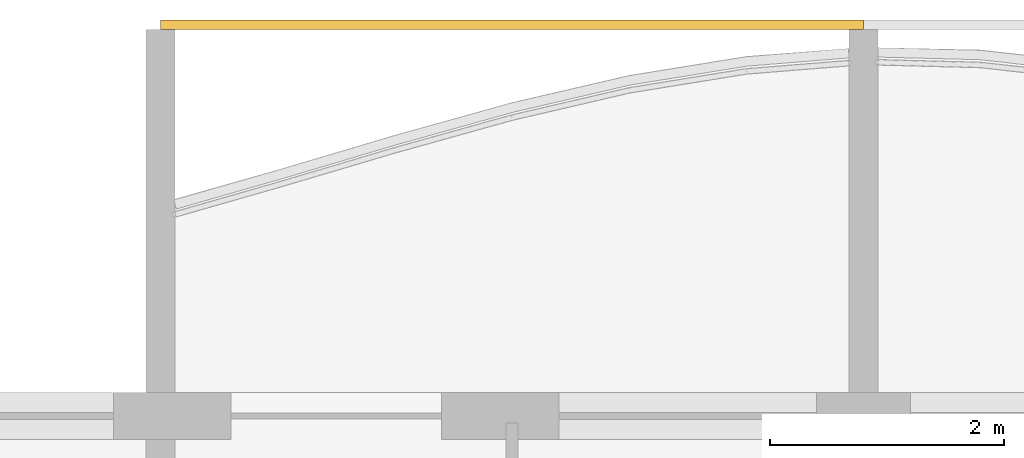
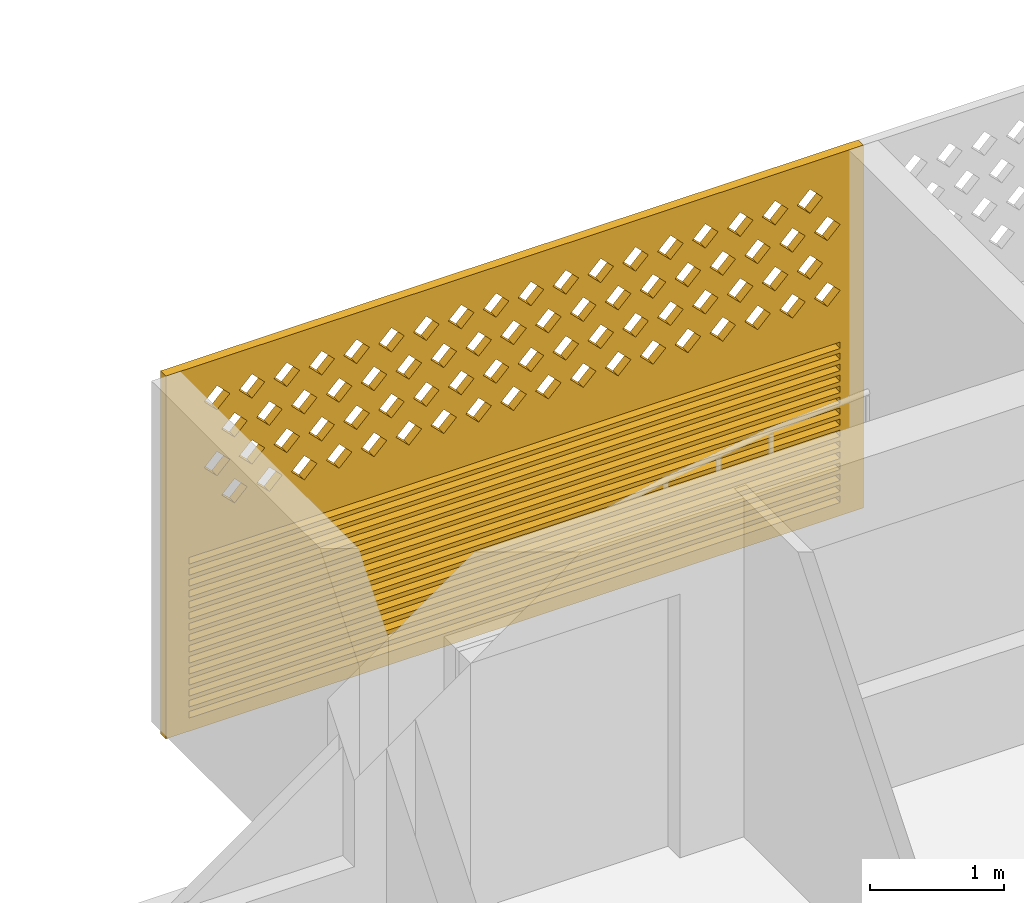
# One storey, part 16 of 26: 1 covering.
"""IFC4 building model written with IfcOpenShell, lengths in metres."""

import ifcopenshell
import ifcopenshell.guid

model = None  # the IFC model being written
_history = None  # IfcOwnerHistory: only IFC2X3 demands one
_inside = {}  # id of a spatial element -> (the spatial element, [elements in it])
_under = {}  # id of a project, library or spatial element -> (it, [spatial elements below it])
_declared = {}  # id of a project -> (the project, [libraries it declares])
_typed = {}  # id of a type object -> (the type object, [elements of that type])
_made_of = {}  # id of a material, layer set ... -> (it, [elements and type objects made of it])


def new_model(schema):
    """Start an empty IFC model of exactly this schema.

    Asked for "IFC4X3", IfcOpenShell would pick the latest addendum, in which some entities
    have other attributes; the version numbers below select the first issue.
    IFC2X3 requires an IfcOwnerHistory on every rooted entity: one is made here for all.
    """
    global model, _history
    if schema == "IFC4X3":
        model = ifcopenshell.file(schema_version=(4, 3, 0, 0))
    else:
        model = ifcopenshell.file(schema=schema)
    _inside.clear()
    _under.clear()
    _declared.clear()
    _typed.clear()
    _made_of.clear()
    _history = None
    if model.schema == "IFC2X3":
        org = make("IfcOrganization", Name="unknown")
        user = make(
            "IfcPersonAndOrganization",
            ThePerson=make("IfcPerson", FamilyName="unknown"),
            TheOrganization=org,
        )
        app = make(
            "IfcApplication",
            ApplicationDeveloper=org,
            Version="unknown",
            ApplicationFullName="unknown",
            ApplicationIdentifier="unknown",
        )
        _history = make(
            "IfcOwnerHistory",
            OwningUser=user,
            OwningApplication=app,
            ChangeAction="ADDED",
            CreationDate=0,
        )
    return model


def make(cls, **values):
    """One entity of the class cls with the attributes given. An attribute that is None is left unset."""
    return model.create_entity(
        cls, **{name: value for name, value in values.items() if value is not None}
    )


def rooted(cls, **values):
    """An entity with a GlobalId (a new one), such as an element, a storey or a relation."""
    return make(cls, GlobalId=ifcopenshell.guid.new(), OwnerHistory=_history, **values)


def si_unit(unit_type, name, prefix=None):
    """IfcSIUnit, for example si_unit("LENGTHUNIT", "METRE", prefix="MILLI")."""
    return make("IfcSIUnit", UnitType=unit_type, Prefix=prefix, Name=name)


def assignment(units):
    """IfcUnitAssignment: the units of a project."""
    return None if units is None else make("IfcUnitAssignment", Units=units)


def point(xyz):
    """IfcCartesianPoint."""
    return None if xyz is None else make("IfcCartesianPoint", Coordinates=xyz)


def direction(xyz):
    """IfcDirection."""
    return None if xyz is None else make("IfcDirection", DirectionRatios=xyz)


def frame(location, z_axis=None, x_axis=None):
    """IfcAxis2Placement3D, a coordinate frame: its origin and axes. An axis left out is left unset."""
    return make(
        "IfcAxis2Placement3D",
        Location=point(location),
        Axis=direction(z_axis),
        RefDirection=direction(x_axis),
    )


def origin():
    """The frame at (0, 0, 0) with its axes left unset."""
    return frame((0.0, 0.0, 0.0))


def place(relative_to, where):
    """IfcLocalPlacement: puts the frame where relative to a parent placement (None: the world)."""
    return make(
        "IfcLocalPlacement", PlacementRelTo=relative_to, RelativePlacement=where
    )


def context(
    kind, dimensions, precision=None, world=None, true_north=None, identifier=None
):
    """IfcGeometricRepresentationContext, for example the 3D "Model" context."""
    return make(
        "IfcGeometricRepresentationContext",
        ContextIdentifier=identifier,
        ContextType=kind,
        CoordinateSpaceDimension=dimensions,
        Precision=precision,
        WorldCoordinateSystem=world,
        TrueNorth=true_north,
    )


def subcontext(parent, identifier, kind, view, scale=None):
    """IfcGeometricRepresentationSubContext, for example "Body" below "Model"."""
    return make(
        "IfcGeometricRepresentationSubContext",
        ContextIdentifier=identifier,
        ContextType=kind,
        ParentContext=parent,
        TargetScale=scale,
        TargetView=view,
    )


def project(units=None, contexts=None):
    """IfcProject with its units and contexts."""
    return rooted(
        "IfcProject",
        Name="project",
        RepresentationContexts=contexts,
        UnitsInContext=assignment(units),
    )


def spatial(cls, under=None, at=None, **own):
    """A site, building, storey or space (cls), placed at a placement, below another one or the project."""
    s = rooted(cls, ObjectPlacement=at, **own)
    if under is not None:
        _under.setdefault(under.id(), (under, []))[1].append(s)
    return s


def polyline(points):
    """IfcPolyline through the points."""
    return make("IfcPolyline", Points=[point(p) for p in points])


def outline(outer, holes=None, kind="AREA"):
    """IfcArbitraryClosedProfileDef: a profile drawn as a closed curve; with holes, ...WithVoids."""
    if holes is None:
        return make("IfcArbitraryClosedProfileDef", ProfileType=kind, OuterCurve=outer)
    return make(
        "IfcArbitraryProfileDefWithVoids",
        ProfileType=kind,
        OuterCurve=outer,
        InnerCurves=holes,
    )


def extrude(swept, where, along, depth):
    """IfcExtrudedAreaSolid: the profile swept, set in the frame where, extruded along a direction by depth."""
    return make(
        "IfcExtrudedAreaSolid",
        SweptArea=swept,
        Position=where,
        ExtrudedDirection=direction(along),
        Depth=depth,
    )


def shape(context_of_items, identifier, shape_type, items):
    """IfcShapeRepresentation: the items that make up one representation, for example the "Body"."""
    return make(
        "IfcShapeRepresentation",
        ContextOfItems=context_of_items,
        RepresentationIdentifier=identifier,
        RepresentationType=shape_type,
        Items=items,
    )


def source(mapping_origin, context_of_items, identifier, shape_type, items):
    """IfcRepresentationMap: a shape defined once, which mapped items show again and again."""
    return make(
        "IfcRepresentationMap",
        MappingOrigin=mapping_origin,
        MappedRepresentation=shape(context_of_items, identifier, shape_type, items),
    )


def transform(
    local_origin,
    x_axis=None,
    y_axis=None,
    z_axis=None,
    scale=None,
    scale2=None,
    scale3=None,
    uniform=True,
):
    """IfcCartesianTransformationOperator3D, or its non-uniform kind. x_axis, y_axis, z_axis: its Axis1, 2, 3."""
    if uniform:
        return make(
            "IfcCartesianTransformationOperator3D",
            Axis1=direction(x_axis),
            Axis2=direction(y_axis),
            LocalOrigin=point(local_origin),
            Scale=scale,
            Axis3=direction(z_axis),
        )
    return make(
        "IfcCartesianTransformationOperator3DnonUniform",
        Axis1=direction(x_axis),
        Axis2=direction(y_axis),
        LocalOrigin=point(local_origin),
        Scale=scale,
        Axis3=direction(z_axis),
        Scale2=scale2,
        Scale3=scale3,
    )


def mapped(mapping_source, mapping_target):
    """IfcMappedItem: shows the shape of a source again, moved by a transform."""
    return make(
        "IfcMappedItem", MappingSource=mapping_source, MappingTarget=mapping_target
    )


def material(Name=None, Category=None):
    """IfcMaterial."""
    return make("IfcMaterial", Name=Name, Category=Category)


def material_profile(
    of_material, cross_section, Name=None, Category=None, Priority=None
):
    """IfcMaterialProfile: a cross section and its material."""
    return make(
        "IfcMaterialProfile",
        Name=Name,
        Material=of_material,
        Profile=cross_section,
        Priority=Priority,
        Category=Category,
    )


def profile_set(profiles, Name=None, composite=None):
    """IfcMaterialProfileSet."""
    return make(
        "IfcMaterialProfileSet",
        Name=Name,
        MaterialProfiles=profiles,
        CompositeProfile=composite,
    )


def made_of(thing, what):
    """Note that an element or type object is made of a material, layer set ...; save() writes the relation."""
    if what is not None:
        _made_of.setdefault(what.id(), (what, []))[1].append(thing)
    return thing


def type_object(cls, material=None, **own):
    """A type object (cls), such as IfcWallType, which elements share."""
    return made_of(rooted(cls, **own), material)


def element(
    cls,
    number,
    at=None,
    inside=None,
    cuts=None,
    type_object=None,
    material=None,
    context=None,
    identifier="Body",
    shape_type=None,
    held_by="IfcProductDefinitionShape",
    body=None,
    shapes=None,
    **own,
):
    """One element of the class cls, such as IfcWall. Its Tag is "e" and its number.

    at: its placement. inside: the storey or other place that contains it. cuts: it is an
    opening in that element (IfcRelVoidsElement). A single representation is given by context,
    identifier, shape_type and body (its items); several are given by shapes. held_by: the class
    of the entity that holds the representations. save() writes the other relations.
    """
    e = rooted(cls, Tag="e%d" % number, ObjectPlacement=at, **own)
    if body is not None:
        shapes = [shape(context, identifier, shape_type, body)]
    if shapes is not None:
        e.Representation = make(held_by, Representations=shapes)
    if inside is not None:
        _inside.setdefault(inside.id(), (inside, []))[1].append(e)
    if cuts is not None:
        rooted(
            "IfcRelVoidsElement", RelatingBuildingElement=cuts, RelatedOpeningElement=e
        )
    if type_object is not None:
        _typed.setdefault(type_object.id(), (type_object, []))[1].append(e)
    return made_of(e, material)


def aggregate(whole, parts):
    """IfcRelAggregates: a whole, such as a stair, and the parts it consists of."""
    return rooted("IfcRelAggregates", RelatingObject=whole, RelatedObjects=parts)


def save(model, path):
    """Write the relations noted so far, then the file.

    IfcRelAggregates (storeys below a building ...), IfcRelContainedInSpatialStructure (elements
    in a storey), IfcRelDefinesByType, IfcRelAssociatesMaterial and IfcRelDeclares: one each for
    every whole, place, type object, material and project.
    """
    for whole, parts in _under.values():
        aggregate(whole, parts)
    for where, things in _inside.values():
        rooted(
            "IfcRelContainedInSpatialStructure",
            RelatedElements=things,
            RelatingStructure=where,
        )
    for kind, things in _typed.values():
        rooted("IfcRelDefinesByType", RelatedObjects=things, RelatingType=kind)
    for what, things in _made_of.values():
        rooted("IfcRelAssociatesMaterial", RelatedObjects=things, RelatingMaterial=what)
    for by, libraries in _declared.values():
        rooted("IfcRelDeclares", RelatingContext=by, RelatedDefinitions=libraries)
    model.write(path)


model = new_model("IFC4")

# Units and contexts
model_context = context("Model", 3, precision=1e-05, world=origin(), true_north=direction((0.0, 1.0)))
body_context = subcontext(model_context, "Body", "Model", "MODEL_VIEW")
ifc_project = project(units=[si_unit("LENGTHUNIT", "METRE"), si_unit("AREAUNIT", "SQUARE_METRE"), si_unit("VOLUMEUNIT", "CUBIC_METRE"), si_unit("PLANEANGLEUNIT", "RADIAN"), si_unit("MASSUNIT", "GRAM", prefix="KILO")], contexts=[model_context])

# Site, building, storey
site_placement = place(None, origin())
site = spatial("IfcSite", under=ifc_project, at=site_placement, CompositionType="ELEMENT")
building_placement = place(site_placement, origin())
building = spatial("IfcBuilding", under=site, at=building_placement, Name="Poui Terraces", CompositionType="ELEMENT")
storey_placement = place(building_placement, frame((0.0, 0.0, 228.0)))
storey = spatial("IfcBuildingStorey", under=building, at=storey_placement, Name="L63", CompositionType="ELEMENT", Elevation=228.0)

# Covering
ifc_material = material(Name="Terracotta screen", Category="masonry")
ifc_material_profile = material_profile(ifc_material, outline(polyline([(-3.0, -1.64990234375), (3.0, -1.64990234375), (3.0, 1.64990234375), (-3.0, 1.64990234375), (-3.0, -1.64990234375)]), holes=[polyline([(-2.800048828125, 0.39990234375), (-2.68994140625, 0.2900390625), (-2.580078125, 0.39990234375), (-2.68994140625, 0.510009765625), (-2.800048828125, 0.39990234375)]), polyline([(-2.5, 0.39990234375), (-2.389892578125, 0.2900390625), (-2.280029296875, 0.39990234375), (-2.389892578125, 0.510009765625), (-2.5, 0.39990234375)]), polyline([(-2.199951171875, 0.39990234375), (-2.090087890625, 0.2900390625), (-1.97998046875, 0.39990234375), (-2.090087890625, 0.510009765625), (-2.199951171875, 0.39990234375)]), polyline([(-1.89990234375, 0.39990234375), (-1.7900390625, 0.2900390625), (-1.679931640625, 0.39990234375), (-1.7900390625, 0.510009765625), (-1.89990234375, 0.39990234375)]), polyline([(-1.60009765625, 0.39990234375), (-1.489990234375, 0.2900390625), (-1.3798828125, 0.39990234375), (-1.489990234375, 0.510009765625), (-1.60009765625, 0.39990234375)]), polyline([(-1.300048828125, 0.39990234375), (-1.18994140625, 0.2900390625), (-1.080078125, 0.39990234375), (-1.18994140625, 0.510009765625), (-1.300048828125, 0.39990234375)]), polyline([(-1.0, 0.39990234375), (-0.889892578125, 0.2900390625), (-0.780029296875, 0.39990234375), (-0.889892578125, 0.510009765625), (-1.0, 0.39990234375)]), polyline([(-0.699951171875, 0.39990234375), (-0.590087890625, 0.2900390625), (-0.47998046875, 0.39990234375), (-0.590087890625, 0.510009765625), (-0.699951171875, 0.39990234375)]), polyline([(-0.39990234375, 0.39990234375), (-0.2900390625, 0.2900390625), (-0.179931640625, 0.39990234375), (-0.2900390625, 0.510009765625), (-0.39990234375, 0.39990234375)]), polyline([(-0.10009765625, 0.39990234375), (0.010009765625, 0.2900390625), (0.1201171875, 0.39990234375), (0.010009765625, 0.510009765625), (-0.10009765625, 0.39990234375)]), polyline([(0.199951171875, 0.39990234375), (0.31005859375, 0.2900390625), (0.419921875, 0.39990234375), (0.31005859375, 0.510009765625), (0.199951171875, 0.39990234375)]), polyline([(0.5, 0.39990234375), (0.610107421875, 0.2900390625), (0.719970703125, 0.39990234375), (0.610107421875, 0.510009765625), (0.5, 0.39990234375)]), polyline([(0.800048828125, 0.39990234375), (0.909912109375, 0.2900390625), (1.02001953125, 0.39990234375), (0.909912109375, 0.510009765625), (0.800048828125, 0.39990234375)]), polyline([(1.10009765625, 0.39990234375), (1.2099609375, 0.2900390625), (1.320068359375, 0.39990234375), (1.2099609375, 0.510009765625), (1.10009765625, 0.39990234375)]), polyline([(1.39990234375, 0.39990234375), (1.510009765625, 0.2900390625), (1.6201171875, 0.39990234375), (1.510009765625, 0.510009765625), (1.39990234375, 0.39990234375)]), polyline([(1.699951171875, 0.39990234375), (1.81005859375, 0.2900390625), (1.919921875, 0.39990234375), (1.81005859375, 0.510009765625), (1.699951171875, 0.39990234375)]), polyline([(2.0, 0.39990234375), (2.110107421875, 0.2900390625), (2.219970703125, 0.39990234375), (2.110107421875, 0.510009765625), (2.0, 0.39990234375)]), polyline([(2.300048828125, 0.39990234375), (2.409912109375, 0.2900390625), (2.52001953125, 0.39990234375), (2.409912109375, 0.510009765625), (2.300048828125, 0.39990234375)]), polyline([(-2.64990234375, 0.699951171875), (-2.5400390625, 0.590087890625), (-2.429931640625, 0.699951171875), (-2.5400390625, 0.81005859375), (-2.64990234375, 0.699951171875)]), polyline([(-2.35009765625, 0.699951171875), (-2.239990234375, 0.590087890625), (-2.1298828125, 0.699951171875), (-2.239990234375, 0.81005859375), (-2.35009765625, 0.699951171875)]), polyline([(-2.050048828125, 0.699951171875), (-1.93994140625, 0.590087890625), (-1.830078125, 0.699951171875), (-1.93994140625, 0.81005859375), (-2.050048828125, 0.699951171875)]), polyline([(-1.75, 0.699951171875), (-1.639892578125, 0.590087890625), (-1.530029296875, 0.699951171875), (-1.639892578125, 0.81005859375), (-1.75, 0.699951171875)]), polyline([(-1.449951171875, 0.699951171875), (-1.340087890625, 0.590087890625), (-1.22998046875, 0.699951171875), (-1.340087890625, 0.81005859375), (-1.449951171875, 0.699951171875)]), polyline([(-1.14990234375, 0.699951171875), (-1.0400390625, 0.590087890625), (-0.929931640625, 0.699951171875), (-1.0400390625, 0.81005859375), (-1.14990234375, 0.699951171875)]), polyline([(-0.85009765625, 0.699951171875), (-0.739990234375, 0.590087890625), (-0.6298828125, 0.699951171875), (-0.739990234375, 0.81005859375), (-0.85009765625, 0.699951171875)]), polyline([(-0.550048828125, 0.699951171875), (-0.43994140625, 0.590087890625), (-0.330078125, 0.699951171875), (-0.43994140625, 0.81005859375), (-0.550048828125, 0.699951171875)]), polyline([(-0.25, 0.699951171875), (-0.139892578125, 0.590087890625), (-0.030029296875, 0.699951171875), (-0.139892578125, 0.81005859375), (-0.25, 0.699951171875)]), polyline([(0.050048828125, 0.699951171875), (0.159912109375, 0.590087890625), (0.27001953125, 0.699951171875), (0.159912109375, 0.81005859375), (0.050048828125, 0.699951171875)]), polyline([(0.35009765625, 0.699951171875), (0.4599609375, 0.590087890625), (0.570068359375, 0.699951171875), (0.4599609375, 0.81005859375), (0.35009765625, 0.699951171875)]), polyline([(0.64990234375, 0.699951171875), (0.760009765625, 0.590087890625), (0.8701171875, 0.699951171875), (0.760009765625, 0.81005859375), (0.64990234375, 0.699951171875)]), polyline([(0.949951171875, 0.699951171875), (1.06005859375, 0.590087890625), (1.169921875, 0.699951171875), (1.06005859375, 0.81005859375), (0.949951171875, 0.699951171875)]), polyline([(1.25, 0.699951171875), (1.360107421875, 0.590087890625), (1.469970703125, 0.699951171875), (1.360107421875, 0.81005859375), (1.25, 0.699951171875)]), polyline([(1.550048828125, 0.699951171875), (1.659912109375, 0.590087890625), (1.77001953125, 0.699951171875), (1.659912109375, 0.81005859375), (1.550048828125, 0.699951171875)]), polyline([(1.85009765625, 0.699951171875), (1.9599609375, 0.590087890625), (2.070068359375, 0.699951171875), (1.9599609375, 0.81005859375), (1.85009765625, 0.699951171875)]), polyline([(2.14990234375, 0.699951171875), (2.260009765625, 0.590087890625), (2.3701171875, 0.699951171875), (2.260009765625, 0.81005859375), (2.14990234375, 0.699951171875)]), polyline([(2.449951171875, 0.699951171875), (2.56005859375, 0.590087890625), (2.669921875, 0.699951171875), (2.56005859375, 0.81005859375), (2.449951171875, 0.699951171875)]), polyline([(-2.800048828125, 1.0), (-2.68994140625, 0.889892578125), (-2.580078125, 1.0), (-2.68994140625, 1.110107421875), (-2.800048828125, 1.0)]), polyline([(-2.5, 1.0), (-2.389892578125, 0.889892578125), (-2.280029296875, 1.0), (-2.389892578125, 1.110107421875), (-2.5, 1.0)]), polyline([(-2.199951171875, 1.0), (-2.090087890625, 0.889892578125), (-1.97998046875, 1.0), (-2.090087890625, 1.110107421875), (-2.199951171875, 1.0)]), polyline([(-1.89990234375, 1.0), (-1.7900390625, 0.889892578125), (-1.679931640625, 1.0), (-1.7900390625, 1.110107421875), (-1.89990234375, 1.0)]), polyline([(-1.60009765625, 1.0), (-1.489990234375, 0.889892578125), (-1.3798828125, 1.0), (-1.489990234375, 1.110107421875), (-1.60009765625, 1.0)]), polyline([(-1.300048828125, 1.0), (-1.18994140625, 0.889892578125), (-1.080078125, 1.0), (-1.18994140625, 1.110107421875), (-1.300048828125, 1.0)]), polyline([(-1.0, 1.0), (-0.889892578125, 0.889892578125), (-0.780029296875, 1.0), (-0.889892578125, 1.110107421875), (-1.0, 1.0)]), polyline([(-0.699951171875, 1.0), (-0.590087890625, 0.889892578125), (-0.47998046875, 1.0), (-0.590087890625, 1.110107421875), (-0.699951171875, 1.0)]), polyline([(-0.39990234375, 1.0), (-0.2900390625, 0.889892578125), (-0.179931640625, 1.0), (-0.2900390625, 1.110107421875), (-0.39990234375, 1.0)]), polyline([(-0.10009765625, 1.0), (0.010009765625, 0.889892578125), (0.1201171875, 1.0), (0.010009765625, 1.110107421875), (-0.10009765625, 1.0)]), polyline([(0.199951171875, 1.0), (0.31005859375, 0.889892578125), (0.419921875, 1.0), (0.31005859375, 1.110107421875), (0.199951171875, 1.0)]), polyline([(0.5, 1.0), (0.610107421875, 0.889892578125), (0.719970703125, 1.0), (0.610107421875, 1.110107421875), (0.5, 1.0)]), polyline([(0.800048828125, 1.0), (0.909912109375, 0.889892578125), (1.02001953125, 1.0), (0.909912109375, 1.110107421875), (0.800048828125, 1.0)]), polyline([(1.10009765625, 1.0), (1.2099609375, 0.889892578125), (1.320068359375, 1.0), (1.2099609375, 1.110107421875), (1.10009765625, 1.0)]), polyline([(1.39990234375, 1.0), (1.510009765625, 0.889892578125), (1.6201171875, 1.0), (1.510009765625, 1.110107421875), (1.39990234375, 1.0)]), polyline([(1.699951171875, 1.0), (1.81005859375, 0.889892578125), (1.919921875, 1.0), (1.81005859375, 1.110107421875), (1.699951171875, 1.0)]), polyline([(2.0, 1.0), (2.110107421875, 0.889892578125), (2.219970703125, 1.0), (2.110107421875, 1.110107421875), (2.0, 1.0)]), polyline([(2.300048828125, 1.0), (2.409912109375, 0.889892578125), (2.52001953125, 1.0), (2.409912109375, 1.110107421875), (2.300048828125, 1.0)]), polyline([(-2.64990234375, 1.300048828125), (-2.5400390625, 1.18994140625), (-2.429931640625, 1.300048828125), (-2.5400390625, 1.409912109375), (-2.64990234375, 1.300048828125)]), polyline([(-2.35009765625, 1.300048828125), (-2.239990234375, 1.18994140625), (-2.1298828125, 1.300048828125), (-2.239990234375, 1.409912109375), (-2.35009765625, 1.300048828125)]), polyline([(-2.050048828125, 1.300048828125), (-1.93994140625, 1.18994140625), (-1.830078125, 1.300048828125), (-1.93994140625, 1.409912109375), (-2.050048828125, 1.300048828125)]), polyline([(-1.75, 1.300048828125), (-1.639892578125, 1.18994140625), (-1.530029296875, 1.300048828125), (-1.639892578125, 1.409912109375), (-1.75, 1.300048828125)]), polyline([(-1.449951171875, 1.300048828125), (-1.340087890625, 1.18994140625), (-1.22998046875, 1.300048828125), (-1.340087890625, 1.409912109375), (-1.449951171875, 1.300048828125)]), polyline([(-1.14990234375, 1.300048828125), (-1.0400390625, 1.18994140625), (-0.929931640625, 1.300048828125), (-1.0400390625, 1.409912109375), (-1.14990234375, 1.300048828125)]), polyline([(-0.85009765625, 1.300048828125), (-0.739990234375, 1.18994140625), (-0.6298828125, 1.300048828125), (-0.739990234375, 1.409912109375), (-0.85009765625, 1.300048828125)]), polyline([(-0.550048828125, 1.300048828125), (-0.43994140625, 1.18994140625), (-0.330078125, 1.300048828125), (-0.43994140625, 1.409912109375), (-0.550048828125, 1.300048828125)]), polyline([(-0.25, 1.300048828125), (-0.139892578125, 1.18994140625), (-0.030029296875, 1.300048828125), (-0.139892578125, 1.409912109375), (-0.25, 1.300048828125)]), polyline([(0.050048828125, 1.300048828125), (0.159912109375, 1.18994140625), (0.27001953125, 1.300048828125), (0.159912109375, 1.409912109375), (0.050048828125, 1.300048828125)]), polyline([(0.35009765625, 1.300048828125), (0.4599609375, 1.18994140625), (0.570068359375, 1.300048828125), (0.4599609375, 1.409912109375), (0.35009765625, 1.300048828125)]), polyline([(0.64990234375, 1.300048828125), (0.760009765625, 1.18994140625), (0.8701171875, 1.300048828125), (0.760009765625, 1.409912109375), (0.64990234375, 1.300048828125)]), polyline([(0.949951171875, 1.300048828125), (1.06005859375, 1.18994140625), (1.169921875, 1.300048828125), (1.06005859375, 1.409912109375), (0.949951171875, 1.300048828125)]), polyline([(1.25, 1.300048828125), (1.360107421875, 1.18994140625), (1.469970703125, 1.300048828125), (1.360107421875, 1.409912109375), (1.25, 1.300048828125)]), polyline([(1.550048828125, 1.300048828125), (1.659912109375, 1.18994140625), (1.77001953125, 1.300048828125), (1.659912109375, 1.409912109375), (1.550048828125, 1.300048828125)]), polyline([(1.85009765625, 1.300048828125), (1.9599609375, 1.18994140625), (2.070068359375, 1.300048828125), (1.9599609375, 1.409912109375), (1.85009765625, 1.300048828125)]), polyline([(2.14990234375, 1.300048828125), (2.260009765625, 1.18994140625), (2.3701171875, 1.300048828125), (2.260009765625, 1.409912109375), (2.14990234375, 1.300048828125)]), polyline([(2.449951171875, 1.300048828125), (2.56005859375, 1.18994140625), (2.669921875, 1.300048828125), (2.56005859375, 1.409912109375), (2.449951171875, 1.300048828125)]), polyline([(-2.800048828125, -1.530029296875), (2.800048828125, -1.530029296875), (2.800048828125, -1.469970703125), (-2.800048828125, -1.469970703125), (-2.800048828125, -1.530029296875)]), polyline([(-2.800048828125, -1.429931640625), (2.800048828125, -1.429931640625), (2.800048828125, -1.3701171875), (-2.800048828125, -1.3701171875), (-2.800048828125, -1.429931640625)]), polyline([(-2.800048828125, -1.330078125), (2.800048828125, -1.330078125), (2.800048828125, -1.27001953125), (-2.800048828125, -1.27001953125), (-2.800048828125, -1.330078125)]), polyline([(-2.800048828125, -1.22998046875), (2.800048828125, -1.22998046875), (2.800048828125, -1.169921875), (-2.800048828125, -1.169921875), (-2.800048828125, -1.22998046875)]), polyline([(-2.800048828125, -1.1298828125), (2.800048828125, -1.1298828125), (2.800048828125, -1.070068359375), (-2.800048828125, -1.070068359375), (-2.800048828125, -1.1298828125)]), polyline([(-2.800048828125, -1.030029296875), (2.800048828125, -1.030029296875), (2.800048828125, -0.969970703125), (-2.800048828125, -0.969970703125), (-2.800048828125, -1.030029296875)]), polyline([(-2.800048828125, -0.929931640625), (2.800048828125, -0.929931640625), (2.800048828125, -0.8701171875), (-2.800048828125, -0.8701171875), (-2.800048828125, -0.929931640625)]), polyline([(-2.800048828125, -0.830078125), (2.800048828125, -0.830078125), (2.800048828125, -0.77001953125), (-2.800048828125, -0.77001953125), (-2.800048828125, -0.830078125)]), polyline([(-2.800048828125, -0.72998046875), (2.800048828125, -0.72998046875), (2.800048828125, -0.669921875), (-2.800048828125, -0.669921875), (-2.800048828125, -0.72998046875)]), polyline([(-2.800048828125, -0.6298828125), (2.800048828125, -0.6298828125), (2.800048828125, -0.570068359375), (-2.800048828125, -0.570068359375), (-2.800048828125, -0.6298828125)]), polyline([(-2.800048828125, -0.530029296875), (2.800048828125, -0.530029296875), (2.800048828125, -0.469970703125), (-2.800048828125, -0.469970703125), (-2.800048828125, -0.530029296875)]), polyline([(-2.800048828125, -0.429931640625), (2.800048828125, -0.429931640625), (2.800048828125, -0.3701171875), (-2.800048828125, -0.3701171875), (-2.800048828125, -0.429931640625)]), polyline([(-2.800048828125, -0.330078125), (2.800048828125, -0.330078125), (2.800048828125, -0.27001953125), (-2.800048828125, -0.27001953125), (-2.800048828125, -0.330078125)]), polyline([(-2.800048828125, -0.22998046875), (2.800048828125, -0.22998046875), (2.800048828125, -0.169921875), (-2.800048828125, -0.169921875), (-2.800048828125, -0.22998046875)]), polyline([(-2.800048828125, -0.1298828125), (2.800048828125, -0.1298828125), (2.800048828125, -0.070068359375), (-2.800048828125, -0.070068359375), (-2.800048828125, -0.1298828125)])]), Name="TERRACOTTA SCREEN AND JALOUSIE LOUVRE 6000X3300")
ifc_profile_set = profile_set([ifc_material_profile], Name="Terracotta screen")
covering_type = type_object("IfcCoveringType", Name="TERRACOTTA SCREEN AND JALOUSIE LOUVRE 6000X3300", PredefinedType="CLADDING", material=ifc_profile_set)
shared_shape = source(origin(), body_context, "Body", "SweptSolid", [
    extrude(outline(polyline([(-3.0, -1.64990234375), (3.0, -1.64990234375), (3.0, 1.64990234375), (-3.0, 1.64990234375), (-3.0, -1.64990234375)]), holes=[polyline([(-2.800048828125, 0.39990234375), (-2.68994140625, 0.2900390625), (-2.580078125, 0.39990234375), (-2.68994140625, 0.510009765625), (-2.800048828125, 0.39990234375)]), polyline([(-2.5, 0.39990234375), (-2.389892578125, 0.2900390625), (-2.280029296875, 0.39990234375), (-2.389892578125, 0.510009765625), (-2.5, 0.39990234375)]), polyline([(-2.199951171875, 0.39990234375), (-2.090087890625, 0.2900390625), (-1.97998046875, 0.39990234375), (-2.090087890625, 0.510009765625), (-2.199951171875, 0.39990234375)]), polyline([(-1.89990234375, 0.39990234375), (-1.7900390625, 0.2900390625), (-1.679931640625, 0.39990234375), (-1.7900390625, 0.510009765625), (-1.89990234375, 0.39990234375)]), polyline([(-1.60009765625, 0.39990234375), (-1.489990234375, 0.2900390625), (-1.3798828125, 0.39990234375), (-1.489990234375, 0.510009765625), (-1.60009765625, 0.39990234375)]), polyline([(-1.300048828125, 0.39990234375), (-1.18994140625, 0.2900390625), (-1.080078125, 0.39990234375), (-1.18994140625, 0.510009765625), (-1.300048828125, 0.39990234375)]), polyline([(-1.0, 0.39990234375), (-0.889892578125, 0.2900390625), (-0.780029296875, 0.39990234375), (-0.889892578125, 0.510009765625), (-1.0, 0.39990234375)]), polyline([(-0.699951171875, 0.39990234375), (-0.590087890625, 0.2900390625), (-0.47998046875, 0.39990234375), (-0.590087890625, 0.510009765625), (-0.699951171875, 0.39990234375)]), polyline([(-0.39990234375, 0.39990234375), (-0.2900390625, 0.2900390625), (-0.179931640625, 0.39990234375), (-0.2900390625, 0.510009765625), (-0.39990234375, 0.39990234375)]), polyline([(-0.10009765625, 0.39990234375), (0.010009765625, 0.2900390625), (0.1201171875, 0.39990234375), (0.010009765625, 0.510009765625), (-0.10009765625, 0.39990234375)]), polyline([(0.199951171875, 0.39990234375), (0.31005859375, 0.2900390625), (0.419921875, 0.39990234375), (0.31005859375, 0.510009765625), (0.199951171875, 0.39990234375)]), polyline([(0.5, 0.39990234375), (0.610107421875, 0.2900390625), (0.719970703125, 0.39990234375), (0.610107421875, 0.510009765625), (0.5, 0.39990234375)]), polyline([(0.800048828125, 0.39990234375), (0.909912109375, 0.2900390625), (1.02001953125, 0.39990234375), (0.909912109375, 0.510009765625), (0.800048828125, 0.39990234375)]), polyline([(1.10009765625, 0.39990234375), (1.2099609375, 0.2900390625), (1.320068359375, 0.39990234375), (1.2099609375, 0.510009765625), (1.10009765625, 0.39990234375)]), polyline([(1.39990234375, 0.39990234375), (1.510009765625, 0.2900390625), (1.6201171875, 0.39990234375), (1.510009765625, 0.510009765625), (1.39990234375, 0.39990234375)]), polyline([(1.699951171875, 0.39990234375), (1.81005859375, 0.2900390625), (1.919921875, 0.39990234375), (1.81005859375, 0.510009765625), (1.699951171875, 0.39990234375)]), polyline([(2.0, 0.39990234375), (2.110107421875, 0.2900390625), (2.219970703125, 0.39990234375), (2.110107421875, 0.510009765625), (2.0, 0.39990234375)]), polyline([(2.300048828125, 0.39990234375), (2.409912109375, 0.2900390625), (2.52001953125, 0.39990234375), (2.409912109375, 0.510009765625), (2.300048828125, 0.39990234375)]), polyline([(-2.64990234375, 0.699951171875), (-2.5400390625, 0.590087890625), (-2.429931640625, 0.699951171875), (-2.5400390625, 0.81005859375), (-2.64990234375, 0.699951171875)]), polyline([(-2.35009765625, 0.699951171875), (-2.239990234375, 0.590087890625), (-2.1298828125, 0.699951171875), (-2.239990234375, 0.81005859375), (-2.35009765625, 0.699951171875)]), polyline([(-2.050048828125, 0.699951171875), (-1.93994140625, 0.590087890625), (-1.830078125, 0.699951171875), (-1.93994140625, 0.81005859375), (-2.050048828125, 0.699951171875)]), polyline([(-1.75, 0.699951171875), (-1.639892578125, 0.590087890625), (-1.530029296875, 0.699951171875), (-1.639892578125, 0.81005859375), (-1.75, 0.699951171875)]), polyline([(-1.449951171875, 0.699951171875), (-1.340087890625, 0.590087890625), (-1.22998046875, 0.699951171875), (-1.340087890625, 0.81005859375), (-1.449951171875, 0.699951171875)]), polyline([(-1.14990234375, 0.699951171875), (-1.0400390625, 0.590087890625), (-0.929931640625, 0.699951171875), (-1.0400390625, 0.81005859375), (-1.14990234375, 0.699951171875)]), polyline([(-0.85009765625, 0.699951171875), (-0.739990234375, 0.590087890625), (-0.6298828125, 0.699951171875), (-0.739990234375, 0.81005859375), (-0.85009765625, 0.699951171875)]), polyline([(-0.550048828125, 0.699951171875), (-0.43994140625, 0.590087890625), (-0.330078125, 0.699951171875), (-0.43994140625, 0.81005859375), (-0.550048828125, 0.699951171875)]), polyline([(-0.25, 0.699951171875), (-0.139892578125, 0.590087890625), (-0.030029296875, 0.699951171875), (-0.139892578125, 0.81005859375), (-0.25, 0.699951171875)]), polyline([(0.050048828125, 0.699951171875), (0.159912109375, 0.590087890625), (0.27001953125, 0.699951171875), (0.159912109375, 0.81005859375), (0.050048828125, 0.699951171875)]), polyline([(0.35009765625, 0.699951171875), (0.4599609375, 0.590087890625), (0.570068359375, 0.699951171875), (0.4599609375, 0.81005859375), (0.35009765625, 0.699951171875)]), polyline([(0.64990234375, 0.699951171875), (0.760009765625, 0.590087890625), (0.8701171875, 0.699951171875), (0.760009765625, 0.81005859375), (0.64990234375, 0.699951171875)]), polyline([(0.949951171875, 0.699951171875), (1.06005859375, 0.590087890625), (1.169921875, 0.699951171875), (1.06005859375, 0.81005859375), (0.949951171875, 0.699951171875)]), polyline([(1.25, 0.699951171875), (1.360107421875, 0.590087890625), (1.469970703125, 0.699951171875), (1.360107421875, 0.81005859375), (1.25, 0.699951171875)]), polyline([(1.550048828125, 0.699951171875), (1.659912109375, 0.590087890625), (1.77001953125, 0.699951171875), (1.659912109375, 0.81005859375), (1.550048828125, 0.699951171875)]), polyline([(1.85009765625, 0.699951171875), (1.9599609375, 0.590087890625), (2.070068359375, 0.699951171875), (1.9599609375, 0.81005859375), (1.85009765625, 0.699951171875)]), polyline([(2.14990234375, 0.699951171875), (2.260009765625, 0.590087890625), (2.3701171875, 0.699951171875), (2.260009765625, 0.81005859375), (2.14990234375, 0.699951171875)]), polyline([(2.449951171875, 0.699951171875), (2.56005859375, 0.590087890625), (2.669921875, 0.699951171875), (2.56005859375, 0.81005859375), (2.449951171875, 0.699951171875)]), polyline([(-2.800048828125, 1.0), (-2.68994140625, 0.889892578125), (-2.580078125, 1.0), (-2.68994140625, 1.110107421875), (-2.800048828125, 1.0)]), polyline([(-2.5, 1.0), (-2.389892578125, 0.889892578125), (-2.280029296875, 1.0), (-2.389892578125, 1.110107421875), (-2.5, 1.0)]), polyline([(-2.199951171875, 1.0), (-2.090087890625, 0.889892578125), (-1.97998046875, 1.0), (-2.090087890625, 1.110107421875), (-2.199951171875, 1.0)]), polyline([(-1.89990234375, 1.0), (-1.7900390625, 0.889892578125), (-1.679931640625, 1.0), (-1.7900390625, 1.110107421875), (-1.89990234375, 1.0)]), polyline([(-1.60009765625, 1.0), (-1.489990234375, 0.889892578125), (-1.3798828125, 1.0), (-1.489990234375, 1.110107421875), (-1.60009765625, 1.0)]), polyline([(-1.300048828125, 1.0), (-1.18994140625, 0.889892578125), (-1.080078125, 1.0), (-1.18994140625, 1.110107421875), (-1.300048828125, 1.0)]), polyline([(-1.0, 1.0), (-0.889892578125, 0.889892578125), (-0.780029296875, 1.0), (-0.889892578125, 1.110107421875), (-1.0, 1.0)]), polyline([(-0.699951171875, 1.0), (-0.590087890625, 0.889892578125), (-0.47998046875, 1.0), (-0.590087890625, 1.110107421875), (-0.699951171875, 1.0)]), polyline([(-0.39990234375, 1.0), (-0.2900390625, 0.889892578125), (-0.179931640625, 1.0), (-0.2900390625, 1.110107421875), (-0.39990234375, 1.0)]), polyline([(-0.10009765625, 1.0), (0.010009765625, 0.889892578125), (0.1201171875, 1.0), (0.010009765625, 1.110107421875), (-0.10009765625, 1.0)]), polyline([(0.199951171875, 1.0), (0.31005859375, 0.889892578125), (0.419921875, 1.0), (0.31005859375, 1.110107421875), (0.199951171875, 1.0)]), polyline([(0.5, 1.0), (0.610107421875, 0.889892578125), (0.719970703125, 1.0), (0.610107421875, 1.110107421875), (0.5, 1.0)]), polyline([(0.800048828125, 1.0), (0.909912109375, 0.889892578125), (1.02001953125, 1.0), (0.909912109375, 1.110107421875), (0.800048828125, 1.0)]), polyline([(1.10009765625, 1.0), (1.2099609375, 0.889892578125), (1.320068359375, 1.0), (1.2099609375, 1.110107421875), (1.10009765625, 1.0)]), polyline([(1.39990234375, 1.0), (1.510009765625, 0.889892578125), (1.6201171875, 1.0), (1.510009765625, 1.110107421875), (1.39990234375, 1.0)]), polyline([(1.699951171875, 1.0), (1.81005859375, 0.889892578125), (1.919921875, 1.0), (1.81005859375, 1.110107421875), (1.699951171875, 1.0)]), polyline([(2.0, 1.0), (2.110107421875, 0.889892578125), (2.219970703125, 1.0), (2.110107421875, 1.110107421875), (2.0, 1.0)]), polyline([(2.300048828125, 1.0), (2.409912109375, 0.889892578125), (2.52001953125, 1.0), (2.409912109375, 1.110107421875), (2.300048828125, 1.0)]), polyline([(-2.64990234375, 1.300048828125), (-2.5400390625, 1.18994140625), (-2.429931640625, 1.300048828125), (-2.5400390625, 1.409912109375), (-2.64990234375, 1.300048828125)]), polyline([(-2.35009765625, 1.300048828125), (-2.239990234375, 1.18994140625), (-2.1298828125, 1.300048828125), (-2.239990234375, 1.409912109375), (-2.35009765625, 1.300048828125)]), polyline([(-2.050048828125, 1.300048828125), (-1.93994140625, 1.18994140625), (-1.830078125, 1.300048828125), (-1.93994140625, 1.409912109375), (-2.050048828125, 1.300048828125)]), polyline([(-1.75, 1.300048828125), (-1.639892578125, 1.18994140625), (-1.530029296875, 1.300048828125), (-1.639892578125, 1.409912109375), (-1.75, 1.300048828125)]), polyline([(-1.449951171875, 1.300048828125), (-1.340087890625, 1.18994140625), (-1.22998046875, 1.300048828125), (-1.340087890625, 1.409912109375), (-1.449951171875, 1.300048828125)]), polyline([(-1.14990234375, 1.300048828125), (-1.0400390625, 1.18994140625), (-0.929931640625, 1.300048828125), (-1.0400390625, 1.409912109375), (-1.14990234375, 1.300048828125)]), polyline([(-0.85009765625, 1.300048828125), (-0.739990234375, 1.18994140625), (-0.6298828125, 1.300048828125), (-0.739990234375, 1.409912109375), (-0.85009765625, 1.300048828125)]), polyline([(-0.550048828125, 1.300048828125), (-0.43994140625, 1.18994140625), (-0.330078125, 1.300048828125), (-0.43994140625, 1.409912109375), (-0.550048828125, 1.300048828125)]), polyline([(-0.25, 1.300048828125), (-0.139892578125, 1.18994140625), (-0.030029296875, 1.300048828125), (-0.139892578125, 1.409912109375), (-0.25, 1.300048828125)]), polyline([(0.050048828125, 1.300048828125), (0.159912109375, 1.18994140625), (0.27001953125, 1.300048828125), (0.159912109375, 1.409912109375), (0.050048828125, 1.300048828125)]), polyline([(0.35009765625, 1.300048828125), (0.4599609375, 1.18994140625), (0.570068359375, 1.300048828125), (0.4599609375, 1.409912109375), (0.35009765625, 1.300048828125)]), polyline([(0.64990234375, 1.300048828125), (0.760009765625, 1.18994140625), (0.8701171875, 1.300048828125), (0.760009765625, 1.409912109375), (0.64990234375, 1.300048828125)]), polyline([(0.949951171875, 1.300048828125), (1.06005859375, 1.18994140625), (1.169921875, 1.300048828125), (1.06005859375, 1.409912109375), (0.949951171875, 1.300048828125)]), polyline([(1.25, 1.300048828125), (1.360107421875, 1.18994140625), (1.469970703125, 1.300048828125), (1.360107421875, 1.409912109375), (1.25, 1.300048828125)]), polyline([(1.550048828125, 1.300048828125), (1.659912109375, 1.18994140625), (1.77001953125, 1.300048828125), (1.659912109375, 1.409912109375), (1.550048828125, 1.300048828125)]), polyline([(1.85009765625, 1.300048828125), (1.9599609375, 1.18994140625), (2.070068359375, 1.300048828125), (1.9599609375, 1.409912109375), (1.85009765625, 1.300048828125)]), polyline([(2.14990234375, 1.300048828125), (2.260009765625, 1.18994140625), (2.3701171875, 1.300048828125), (2.260009765625, 1.409912109375), (2.14990234375, 1.300048828125)]), polyline([(2.449951171875, 1.300048828125), (2.56005859375, 1.18994140625), (2.669921875, 1.300048828125), (2.56005859375, 1.409912109375), (2.449951171875, 1.300048828125)]), polyline([(-2.800048828125, -1.530029296875), (2.800048828125, -1.530029296875), (2.800048828125, -1.469970703125), (-2.800048828125, -1.469970703125), (-2.800048828125, -1.530029296875)]), polyline([(-2.800048828125, -1.429931640625), (2.800048828125, -1.429931640625), (2.800048828125, -1.3701171875), (-2.800048828125, -1.3701171875), (-2.800048828125, -1.429931640625)]), polyline([(-2.800048828125, -1.330078125), (2.800048828125, -1.330078125), (2.800048828125, -1.27001953125), (-2.800048828125, -1.27001953125), (-2.800048828125, -1.330078125)]), polyline([(-2.800048828125, -1.22998046875), (2.800048828125, -1.22998046875), (2.800048828125, -1.169921875), (-2.800048828125, -1.169921875), (-2.800048828125, -1.22998046875)]), polyline([(-2.800048828125, -1.1298828125), (2.800048828125, -1.1298828125), (2.800048828125, -1.070068359375), (-2.800048828125, -1.070068359375), (-2.800048828125, -1.1298828125)]), polyline([(-2.800048828125, -1.030029296875), (2.800048828125, -1.030029296875), (2.800048828125, -0.969970703125), (-2.800048828125, -0.969970703125), (-2.800048828125, -1.030029296875)]), polyline([(-2.800048828125, -0.929931640625), (2.800048828125, -0.929931640625), (2.800048828125, -0.8701171875), (-2.800048828125, -0.8701171875), (-2.800048828125, -0.929931640625)]), polyline([(-2.800048828125, -0.830078125), (2.800048828125, -0.830078125), (2.800048828125, -0.77001953125), (-2.800048828125, -0.77001953125), (-2.800048828125, -0.830078125)]), polyline([(-2.800048828125, -0.72998046875), (2.800048828125, -0.72998046875), (2.800048828125, -0.669921875), (-2.800048828125, -0.669921875), (-2.800048828125, -0.72998046875)]), polyline([(-2.800048828125, -0.6298828125), (2.800048828125, -0.6298828125), (2.800048828125, -0.570068359375), (-2.800048828125, -0.570068359375), (-2.800048828125, -0.6298828125)]), polyline([(-2.800048828125, -0.530029296875), (2.800048828125, -0.530029296875), (2.800048828125, -0.469970703125), (-2.800048828125, -0.469970703125), (-2.800048828125, -0.530029296875)]), polyline([(-2.800048828125, -0.429931640625), (2.800048828125, -0.429931640625), (2.800048828125, -0.3701171875), (-2.800048828125, -0.3701171875), (-2.800048828125, -0.429931640625)]), polyline([(-2.800048828125, -0.330078125), (2.800048828125, -0.330078125), (2.800048828125, -0.27001953125), (-2.800048828125, -0.27001953125), (-2.800048828125, -0.330078125)]), polyline([(-2.800048828125, -0.22998046875), (2.800048828125, -0.22998046875), (2.800048828125, -0.169921875), (-2.800048828125, -0.169921875), (-2.800048828125, -0.22998046875)]), polyline([(-2.800048828125, -0.1298828125), (2.800048828125, -0.1298828125), (2.800048828125, -0.070068359375), (-2.800048828125, -0.070068359375), (-2.800048828125, -0.1298828125)])]), origin(), (0.0, 0.0, 1.0), 0.080078125),
])
covering_placement = place(storey_placement, frame((33.0, 44.5, 1.449951171875), z_axis=(0.0, 1.0, 0.0), x_axis=(-1.0, 0.0, 0.0)))
element("IfcCovering", 1, at=covering_placement, inside=storey, type_object=covering_type, Name="SOLAR SCREEN AND JALOUSIE LOUVRE", PredefinedType="CLADDING", context=body_context, shape_type="MappedRepresentation", body=[
    mapped(shared_shape, transform((0.0, 0.0, 0.0))),
])

save(model, "model.ifc")
